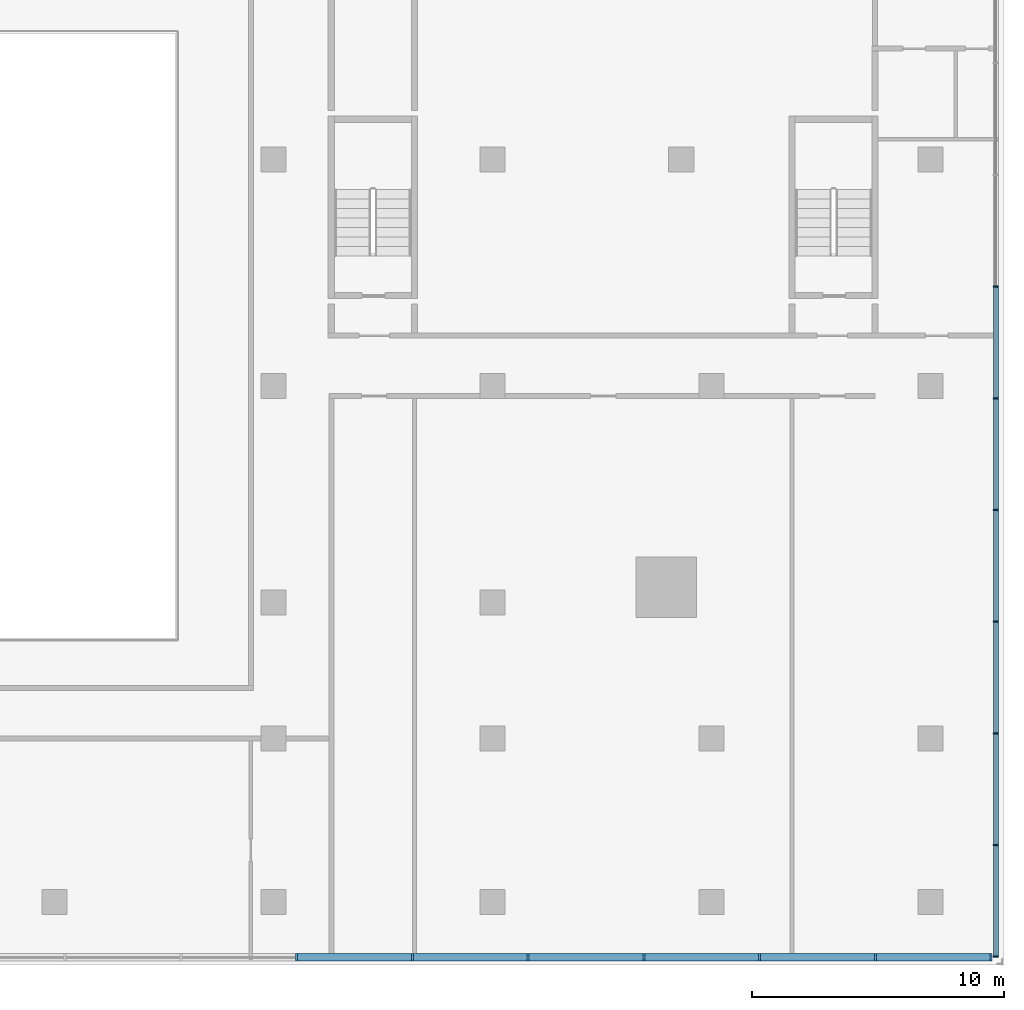
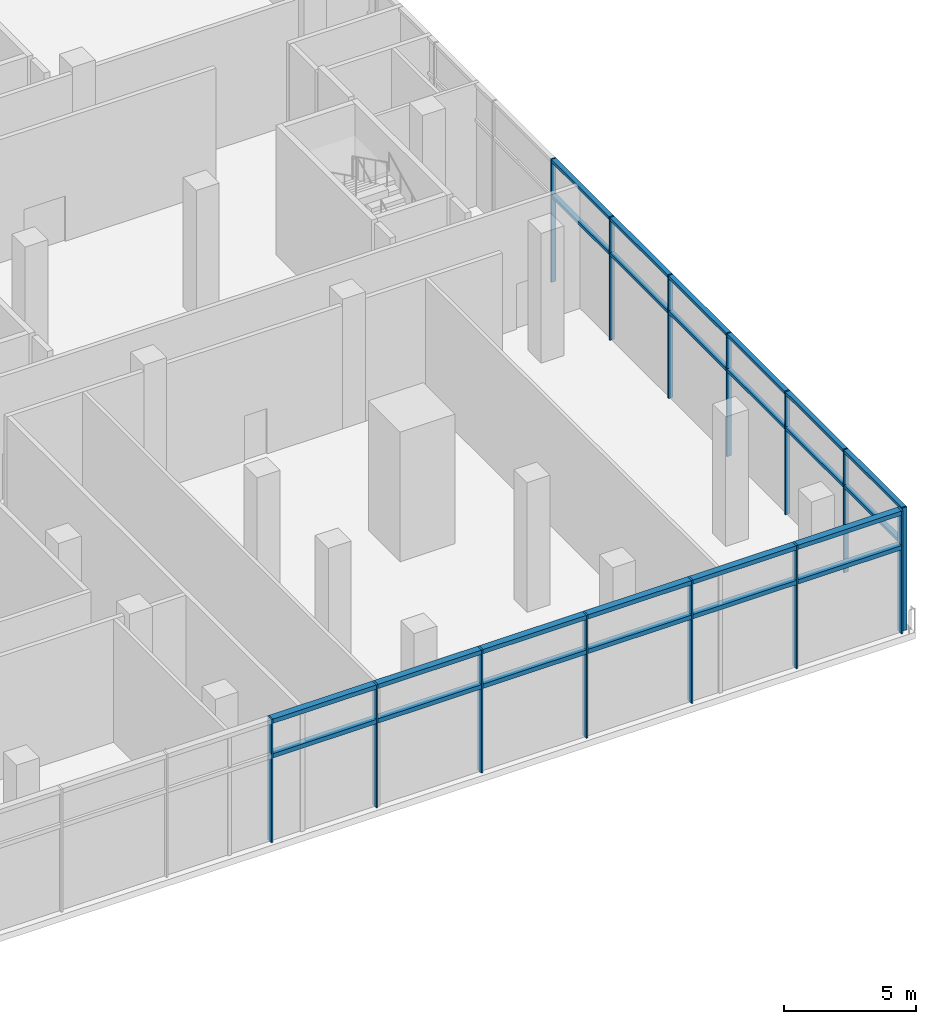
# One storey, part 7 of 22: 38 members, 2 elements without a shape of their own.
"""IFC4 building model written with IfcOpenShell, lengths in metres."""

from ifc_helpers import new_model, si_unit, direction, frame, origin, origin_2d, place, context, subcontext, project, spatial, rectangle, extrude, material, material_profile, profile_set, type_object, element, aggregate, save


model = new_model("IFC4")

# Units and contexts
model_context = context("Model", 3, precision=1e-05, world=origin(), true_north=direction((0.0, 1.0)))
body_context = subcontext(model_context, "Body", "Model", "MODEL_VIEW")
ifc_project = project(units=[si_unit("LENGTHUNIT", "METRE"), si_unit("AREAUNIT", "SQUARE_METRE"), si_unit("VOLUMEUNIT", "CUBIC_METRE"), si_unit("PLANEANGLEUNIT", "RADIAN"), si_unit("MASSUNIT", "GRAM", prefix="KILO")], contexts=[model_context])

# Site, building, storey
site_placement = place(None, origin())
site = spatial("IfcSite", under=ifc_project, at=site_placement, CompositionType="ELEMENT")
building_placement = place(site_placement, origin())
building = spatial("IfcBuilding", under=site, at=building_placement, Name="Bicima Exchange Tower", CompositionType="ELEMENT")
storey_placement = place(building_placement, frame((0.0, 0.0, 14.0)))
storey = spatial("IfcBuildingStorey", under=building, at=storey_placement, Name="L02", CompositionType="ELEMENT", Elevation=14.0)

# Curtain wall, members
ifc_material_1 = material(Name="Stainless steel", Category="steel")
curtain_wall_type_1 = type_object("IfcCurtainWallType", Name="Hall structural glazing", PredefinedType="NOTDEFINED", material=ifc_material_1)
curtain_wall_1_placement = place(storey_placement, origin())
curtain_wall_1 = element("IfcCurtainWall", 1, at=curtain_wall_1_placement, inside=storey, type_object=curtain_wall_type_1, Name="Podium glazing L02 south 1", PredefinedType="NOTDEFINED")
ifc_material_profile_1 = material_profile(ifc_material_1, rectangle(XDim=0.300048828125, YDim=0.080078125, at=origin_2d()))
ifc_profile_set_1 = profile_set([ifc_material_profile_1], Name="Stainless steel")
member_type_1 = type_object("IfcMemberType", Name="Hall structural glazing mullion 80 x 300", PredefinedType="MULLION", material=ifc_profile_set_1)
member_1_placement = place(storey_placement, frame((18.319091796875, -53.699951171875, 0.0), z_axis=(0.0, 0.0, 1.0), x_axis=(0.0, 1.0, 0.0)))
member_1 = element("IfcMember", 2, at=member_1_placement, type_object=member_type_1, Name="Hall structural glazing mullion 15", PredefinedType="MULLION", context=body_context, shape_type="SweptSolid", body=[
    extrude(rectangle(XDim=0.300048828125, YDim=0.080078125, at=origin_2d()), origin(), (0.0, 0.0, 1.0), 5.699951171875),
])
member_2_placement = place(storey_placement, frame((22.91748046875, -53.699951171875, 0.0), z_axis=(0.0, 0.0, 1.0), x_axis=(0.0, 1.0, 0.0)))
member_2 = element("IfcMember", 3, at=member_2_placement, type_object=member_type_1, Name="Hall structural glazing mullion 16", PredefinedType="MULLION", context=body_context, shape_type="SweptSolid", body=[
    extrude(rectangle(XDim=0.300048828125, YDim=0.080078125, at=origin_2d()), origin(), (0.0, 0.0, 1.0), 5.699951171875),
])
member_3_placement = place(storey_placement, frame((27.51611328125, -53.699951171875, 0.0), z_axis=(0.0, 0.0, 1.0), x_axis=(0.0, 1.0, 0.0)))
member_3 = element("IfcMember", 4, at=member_3_placement, type_object=member_type_1, Name="Hall structural glazing mullion 17", PredefinedType="MULLION", context=body_context, shape_type="SweptSolid", body=[
    extrude(rectangle(XDim=0.300048828125, YDim=0.080078125, at=origin_2d()), origin(), (0.0, 0.0, 1.0), 5.699951171875),
])
member_4_placement = place(storey_placement, frame((32.114501953125, -53.699951171875, 0.0), z_axis=(0.0, 0.0, 1.0), x_axis=(0.0, 1.0, 0.0)))
member_4 = element("IfcMember", 5, at=member_4_placement, type_object=member_type_1, Name="Hall structural glazing mullion 18", PredefinedType="MULLION", context=body_context, shape_type="SweptSolid", body=[
    extrude(rectangle(XDim=0.300048828125, YDim=0.080078125, at=origin_2d()), origin(), (0.0, 0.0, 1.0), 5.699951171875),
])
member_5_placement = place(storey_placement, frame((36.712890625, -53.699951171875, 0.0), z_axis=(0.0, 0.0, 1.0), x_axis=(0.0, 1.0, 0.0)))
member_5 = element("IfcMember", 6, at=member_5_placement, type_object=member_type_1, Name="Hall structural glazing mullion 19", PredefinedType="MULLION", context=body_context, shape_type="SweptSolid", body=[
    extrude(rectangle(XDim=0.300048828125, YDim=0.080078125, at=origin_2d()), origin(), (0.0, 0.0, 1.0), 5.699951171875),
])
member_6_placement = place(storey_placement, frame((41.3115234375, -53.699951171875, 0.0), z_axis=(0.0, 0.0, 1.0), x_axis=(0.0, 1.0, 0.0)))
member_6 = element("IfcMember", 7, at=member_6_placement, type_object=member_type_1, Name="Hall structural glazing mullion 20", PredefinedType="MULLION", context=body_context, shape_type="SweptSolid", body=[
    extrude(rectangle(XDim=0.300048828125, YDim=0.080078125, at=origin_2d()), origin(), (0.0, 0.0, 1.0), 5.699951171875),
])
member_7_placement = place(storey_placement, frame((45.909912109375, -53.699951171875, 0.0), z_axis=(0.0, 0.0, 1.0), x_axis=(0.0, 1.0, 0.0)))
member_7 = element("IfcMember", 8, at=member_7_placement, type_object=member_type_1, Name="Hall structural glazing mullion 21", PredefinedType="MULLION", context=body_context, shape_type="SweptSolid", body=[
    extrude(rectangle(XDim=0.300048828125, YDim=0.080078125, at=origin_2d()), origin(), (0.0, 0.0, 1.0), 5.699951171875),
])
ifc_material_profile_2 = material_profile(ifc_material_1, rectangle(XDim=0.300048828125, YDim=0.199951171875, at=origin_2d()))
ifc_profile_set_2 = profile_set([ifc_material_profile_2], Name="Stainless steel")
member_type_2 = type_object("IfcMemberType", Name="Hall structural glazing transom 200 x 300", PredefinedType="USERDEFINED", material=ifc_profile_set_2)
member_8_placement = place(storey_placement, frame((18.35888671875, -53.699951171875, 4.0), z_axis=(1.0, 0.0, 0.0), x_axis=(0.0, 1.0, 0.0)))
member_8 = element("IfcMember", 9, at=member_8_placement, type_object=member_type_2, Name="Hall structural glazing transom 15.1", ObjectType="TRANSOM", PredefinedType="USERDEFINED", context=body_context, shape_type="SweptSolid", body=[
    extrude(rectangle(XDim=0.300048828125, YDim=0.199951171875, at=origin_2d()), origin(), (0.0, 0.0, 1.0), 4.5185546875),
])
member_9_placement = place(storey_placement, frame((18.35888671875, -53.699951171875, 5.60009765625), z_axis=(1.0, 0.0, 0.0), x_axis=(0.0, 1.0, 0.0)))
member_9 = element("IfcMember", 10, at=member_9_placement, type_object=member_type_2, Name="Hall structural glazing transom 15.2", ObjectType="TRANSOM", PredefinedType="USERDEFINED", context=body_context, shape_type="SweptSolid", body=[
    extrude(rectangle(XDim=0.300048828125, YDim=0.199951171875, at=origin_2d()), origin(), (0.0, 0.0, 1.0), 4.5185546875),
])
member_10_placement = place(storey_placement, frame((22.95751953125, -53.699951171875, 4.0), z_axis=(1.0, 0.0, 0.0), x_axis=(0.0, 1.0, 0.0)))
member_10 = element("IfcMember", 11, at=member_10_placement, type_object=member_type_2, Name="Hall structural glazing transom 16.1", ObjectType="TRANSOM", PredefinedType="USERDEFINED", context=body_context, shape_type="SweptSolid", body=[
    extrude(rectangle(XDim=0.300048828125, YDim=0.199951171875, at=origin_2d()), origin(), (0.0, 0.0, 1.0), 4.5185546875),
])
member_11_placement = place(storey_placement, frame((22.95751953125, -53.699951171875, 5.60009765625), z_axis=(1.0, 0.0, 0.0), x_axis=(0.0, 1.0, 0.0)))
member_11 = element("IfcMember", 12, at=member_11_placement, type_object=member_type_2, Name="Hall structural glazing transom 16.2", ObjectType="TRANSOM", PredefinedType="USERDEFINED", context=body_context, shape_type="SweptSolid", body=[
    extrude(rectangle(XDim=0.300048828125, YDim=0.199951171875, at=origin_2d()), origin(), (0.0, 0.0, 1.0), 4.5185546875),
])
member_12_placement = place(storey_placement, frame((27.555908203125, -53.699951171875, 4.0), z_axis=(1.0, 0.0, 0.0), x_axis=(0.0, 1.0, 0.0)))
member_12 = element("IfcMember", 13, at=member_12_placement, type_object=member_type_2, Name="Hall structural glazing transom 17.1", ObjectType="TRANSOM", PredefinedType="USERDEFINED", context=body_context, shape_type="SweptSolid", body=[
    extrude(rectangle(XDim=0.300048828125, YDim=0.199951171875, at=origin_2d()), origin(), (0.0, 0.0, 1.0), 4.5185546875),
])
member_13_placement = place(storey_placement, frame((27.555908203125, -53.699951171875, 5.60009765625), z_axis=(1.0, 0.0, 0.0), x_axis=(0.0, 1.0, 0.0)))
member_13 = element("IfcMember", 14, at=member_13_placement, type_object=member_type_2, Name="Hall structural glazing transom 17.2", ObjectType="TRANSOM", PredefinedType="USERDEFINED", context=body_context, shape_type="SweptSolid", body=[
    extrude(rectangle(XDim=0.300048828125, YDim=0.199951171875, at=origin_2d()), origin(), (0.0, 0.0, 1.0), 4.5185546875),
])
member_14_placement = place(storey_placement, frame((32.154541015625, -53.699951171875, 4.0), z_axis=(1.0, 0.0, 0.0), x_axis=(0.0, 1.0, 0.0)))
member_14 = element("IfcMember", 15, at=member_14_placement, type_object=member_type_2, Name="Hall structural glazing transom 18.1", ObjectType="TRANSOM", PredefinedType="USERDEFINED", context=body_context, shape_type="SweptSolid", body=[
    extrude(rectangle(XDim=0.300048828125, YDim=0.199951171875, at=origin_2d()), origin(), (0.0, 0.0, 1.0), 4.5185546875),
])
member_15_placement = place(storey_placement, frame((32.154541015625, -53.699951171875, 5.60009765625), z_axis=(1.0, 0.0, 0.0), x_axis=(0.0, 1.0, 0.0)))
member_15 = element("IfcMember", 16, at=member_15_placement, type_object=member_type_2, Name="Hall structural glazing transom 18.2", ObjectType="TRANSOM", PredefinedType="USERDEFINED", context=body_context, shape_type="SweptSolid", body=[
    extrude(rectangle(XDim=0.300048828125, YDim=0.199951171875, at=origin_2d()), origin(), (0.0, 0.0, 1.0), 4.5185546875),
])
member_16_placement = place(storey_placement, frame((36.7529296875, -53.699951171875, 4.0), z_axis=(1.0, 0.0, 0.0), x_axis=(0.0, 1.0, 0.0)))
member_16 = element("IfcMember", 17, at=member_16_placement, type_object=member_type_2, Name="Hall structural glazing transom 19.1", ObjectType="TRANSOM", PredefinedType="USERDEFINED", context=body_context, shape_type="SweptSolid", body=[
    extrude(rectangle(XDim=0.300048828125, YDim=0.199951171875, at=origin_2d()), origin(), (0.0, 0.0, 1.0), 4.5185546875),
])
member_17_placement = place(storey_placement, frame((36.7529296875, -53.699951171875, 5.60009765625), z_axis=(1.0, 0.0, 0.0), x_axis=(0.0, 1.0, 0.0)))
member_17 = element("IfcMember", 18, at=member_17_placement, type_object=member_type_2, Name="Hall structural glazing transom 19.2", ObjectType="TRANSOM", PredefinedType="USERDEFINED", context=body_context, shape_type="SweptSolid", body=[
    extrude(rectangle(XDim=0.300048828125, YDim=0.199951171875, at=origin_2d()), origin(), (0.0, 0.0, 1.0), 4.5185546875),
])
member_18_placement = place(storey_placement, frame((41.3515625, -53.699951171875, 4.0), z_axis=(1.0, 0.0, 0.0), x_axis=(0.0, 1.0, 0.0)))
member_18 = element("IfcMember", 19, at=member_18_placement, type_object=member_type_2, Name="Hall structural glazing transom 20.1", ObjectType="TRANSOM", PredefinedType="USERDEFINED", context=body_context, shape_type="SweptSolid", body=[
    extrude(rectangle(XDim=0.300048828125, YDim=0.199951171875, at=origin_2d()), origin(), (0.0, 0.0, 1.0), 4.5185546875),
])
member_19_placement = place(storey_placement, frame((41.3515625, -53.699951171875, 5.60009765625), z_axis=(1.0, 0.0, 0.0), x_axis=(0.0, 1.0, 0.0)))
member_19 = element("IfcMember", 20, at=member_19_placement, type_object=member_type_2, Name="Hall structural glazing transom 20.2", ObjectType="TRANSOM", PredefinedType="USERDEFINED", context=body_context, shape_type="SweptSolid", body=[
    extrude(rectangle(XDim=0.300048828125, YDim=0.199951171875, at=origin_2d()), origin(), (0.0, 0.0, 1.0), 4.5185546875),
])
aggregate(curtain_wall_1, [member_1, member_2, member_3, member_4, member_5, member_6, member_7, member_8, member_9, member_10, member_11, member_12, member_13, member_14, member_15, member_16, member_17, member_18, member_19])

ifc_material_2 = material(Name="Anodised bronze aluminium", Category="aluminium")
curtain_wall_type_2 = type_object("IfcCurtainWallType", Name="Lobby glazing", PredefinedType="NOTDEFINED", material=ifc_material_2)
curtain_wall_2_placement = place(storey_placement, origin())
curtain_wall_2 = element("IfcCurtainWall", 21, at=curtain_wall_2_placement, inside=storey, type_object=curtain_wall_type_2, Name="Podium glazing L02 east 1", PredefinedType="NOTDEFINED")
ifc_material_profile_3 = material_profile(ifc_material_2, rectangle(XDim=0.199951171875, YDim=0.06005859375, at=origin_2d()))
ifc_profile_set_3 = profile_set([ifc_material_profile_3], Name="Anodised bronze aluminium")
member_type_3 = type_object("IfcMemberType", Name="Lobby glazing mullion 60 x 200", PredefinedType="MULLION", material=ifc_profile_set_3)
member_20_placement = place(storey_placement, frame((46.10009765625, -53.669921875, 0.0), z_axis=(0.0, 0.0, 1.0), x_axis=(-1.0, 0.0, 0.0)))
member_20 = element("IfcMember", 22, at=member_20_placement, type_object=member_type_3, Name="Lobby glazing mullion 1", PredefinedType="MULLION", context=body_context, shape_type="SweptSolid", body=[
    extrude(rectangle(XDim=0.199951171875, YDim=0.06005859375, at=origin_2d()), origin(), (0.0, 0.0, 1.0), 5.699951171875),
])
member_21_placement = place(storey_placement, frame((46.10009765625, -49.2333984375, 0.0), z_axis=(0.0, 0.0, 1.0), x_axis=(-1.0, 0.0, 0.0)))
member_21 = element("IfcMember", 23, at=member_21_placement, type_object=member_type_3, Name="Lobby glazing mullion 2", PredefinedType="MULLION", context=body_context, shape_type="SweptSolid", body=[
    extrude(rectangle(XDim=0.199951171875, YDim=0.06005859375, at=origin_2d()), origin(), (0.0, 0.0, 1.0), 5.699951171875),
])
member_22_placement = place(storey_placement, frame((46.10009765625, -44.796630859375, 0.0), z_axis=(0.0, 0.0, 1.0), x_axis=(-1.0, 0.0, 0.0)))
member_22 = element("IfcMember", 24, at=member_22_placement, type_object=member_type_3, Name="Lobby glazing mullion 3", PredefinedType="MULLION", context=body_context, shape_type="SweptSolid", body=[
    extrude(rectangle(XDim=0.199951171875, YDim=0.06005859375, at=origin_2d()), origin(), (0.0, 0.0, 1.0), 5.699951171875),
])
member_23_placement = place(storey_placement, frame((46.10009765625, -40.360107421875, 0.0), z_axis=(0.0, 0.0, 1.0), x_axis=(-1.0, 0.0, 0.0)))
member_23 = element("IfcMember", 25, at=member_23_placement, type_object=member_type_3, Name="Lobby glazing mullion 4", PredefinedType="MULLION", context=body_context, shape_type="SweptSolid", body=[
    extrude(rectangle(XDim=0.199951171875, YDim=0.06005859375, at=origin_2d()), origin(), (0.0, 0.0, 1.0), 5.699951171875),
])
member_24_placement = place(storey_placement, frame((46.10009765625, -35.92333984375, 0.0), z_axis=(0.0, 0.0, 1.0), x_axis=(-1.0, 0.0, 0.0)))
member_24 = element("IfcMember", 26, at=member_24_placement, type_object=member_type_3, Name="Lobby glazing mullion 5", PredefinedType="MULLION", context=body_context, shape_type="SweptSolid", body=[
    extrude(rectangle(XDim=0.199951171875, YDim=0.06005859375, at=origin_2d()), origin(), (0.0, 0.0, 1.0), 5.699951171875),
])
member_25_placement = place(storey_placement, frame((46.10009765625, -31.48681640625, 0.0), z_axis=(0.0, 0.0, 1.0), x_axis=(-1.0, 0.0, 0.0)))
member_25 = element("IfcMember", 27, at=member_25_placement, type_object=member_type_3, Name="Lobby glazing mullion 6", PredefinedType="MULLION", context=body_context, shape_type="SweptSolid", body=[
    extrude(rectangle(XDim=0.199951171875, YDim=0.06005859375, at=origin_2d()), origin(), (0.0, 0.0, 1.0), 5.699951171875),
])
member_26_placement = place(storey_placement, frame((46.10009765625, -27.050048828125, 0.0), z_axis=(0.0, 0.0, 1.0), x_axis=(-1.0, 0.0, 0.0)))
member_26 = element("IfcMember", 28, at=member_26_placement, type_object=member_type_3, Name="Lobby glazing mullion 7", PredefinedType="MULLION", context=body_context, shape_type="SweptSolid", body=[
    extrude(rectangle(XDim=0.199951171875, YDim=0.06005859375, at=origin_2d()), origin(), (0.0, 0.0, 1.0), 5.699951171875),
])
ifc_material_profile_4 = material_profile(ifc_material_2, rectangle(XDim=0.199951171875, YDim=0.139892578125, at=origin_2d()))
ifc_profile_set_4 = profile_set([ifc_material_profile_4], Name="Anodised bronze aluminium")
member_type_4 = type_object("IfcMemberType", Name="Lobby glazing transom 140 x 200", PredefinedType="USERDEFINED", material=ifc_profile_set_4)
member_27_placement = place(storey_placement, frame((46.10009765625, -53.639892578125, 4.0), z_axis=(0.0, 1.0, 0.0), x_axis=(-1.0, 0.0, 0.0)))
member_27 = element("IfcMember", 29, at=member_27_placement, type_object=member_type_4, Name="Lobby glazing transom 1.1", ObjectType="TRANSOM", PredefinedType="USERDEFINED", context=body_context, shape_type="SweptSolid", body=[
    extrude(rectangle(XDim=0.199951171875, YDim=0.139892578125, at=origin_2d()), origin(), (0.0, 0.0, 1.0), 4.376708984375),
])
member_28_placement = place(storey_placement, frame((46.10009765625, -53.639892578125, 5.6298828125), z_axis=(0.0, 1.0, 0.0), x_axis=(-1.0, 0.0, 0.0)))
member_28 = element("IfcMember", 30, at=member_28_placement, type_object=member_type_4, Name="Lobby glazing transom 1.2", ObjectType="TRANSOM", PredefinedType="USERDEFINED", context=body_context, shape_type="SweptSolid", body=[
    extrude(rectangle(XDim=0.199951171875, YDim=0.139892578125, at=origin_2d()), origin(), (0.0, 0.0, 1.0), 4.376708984375),
])
member_29_placement = place(storey_placement, frame((46.10009765625, -49.203369140625, 4.0), z_axis=(0.0, 1.0, 0.0), x_axis=(-1.0, 0.0, 0.0)))
member_29 = element("IfcMember", 31, at=member_29_placement, type_object=member_type_4, Name="Lobby glazing transom 2.1", ObjectType="TRANSOM", PredefinedType="USERDEFINED", context=body_context, shape_type="SweptSolid", body=[
    extrude(rectangle(XDim=0.199951171875, YDim=0.139892578125, at=origin_2d()), origin(), (0.0, 0.0, 1.0), 4.376708984375),
])
member_30_placement = place(storey_placement, frame((46.10009765625, -49.203369140625, 5.6298828125), z_axis=(0.0, 1.0, 0.0), x_axis=(-1.0, 0.0, 0.0)))
member_30 = element("IfcMember", 32, at=member_30_placement, type_object=member_type_4, Name="Lobby glazing transom 2.2", ObjectType="TRANSOM", PredefinedType="USERDEFINED", context=body_context, shape_type="SweptSolid", body=[
    extrude(rectangle(XDim=0.199951171875, YDim=0.139892578125, at=origin_2d()), origin(), (0.0, 0.0, 1.0), 4.376708984375),
])
member_31_placement = place(storey_placement, frame((46.10009765625, -44.7666015625, 4.0), z_axis=(0.0, 1.0, 0.0), x_axis=(-1.0, 0.0, 0.0)))
member_31 = element("IfcMember", 33, at=member_31_placement, type_object=member_type_4, Name="Lobby glazing transom 3.1", ObjectType="TRANSOM", PredefinedType="USERDEFINED", context=body_context, shape_type="SweptSolid", body=[
    extrude(rectangle(XDim=0.199951171875, YDim=0.139892578125, at=origin_2d()), origin(), (0.0, 0.0, 1.0), 4.376708984375),
])
member_32_placement = place(storey_placement, frame((46.10009765625, -44.7666015625, 5.6298828125), z_axis=(0.0, 1.0, 0.0), x_axis=(-1.0, 0.0, 0.0)))
member_32 = element("IfcMember", 34, at=member_32_placement, type_object=member_type_4, Name="Lobby glazing transom 3.2", ObjectType="TRANSOM", PredefinedType="USERDEFINED", context=body_context, shape_type="SweptSolid", body=[
    extrude(rectangle(XDim=0.199951171875, YDim=0.139892578125, at=origin_2d()), origin(), (0.0, 0.0, 1.0), 4.376708984375),
])
member_33_placement = place(storey_placement, frame((46.10009765625, -40.330078125, 4.0), z_axis=(0.0, 1.0, 0.0), x_axis=(-1.0, 0.0, 0.0)))
member_33 = element("IfcMember", 35, at=member_33_placement, type_object=member_type_4, Name="Lobby glazing transom 4.1", ObjectType="TRANSOM", PredefinedType="USERDEFINED", context=body_context, shape_type="SweptSolid", body=[
    extrude(rectangle(XDim=0.199951171875, YDim=0.139892578125, at=origin_2d()), origin(), (0.0, 0.0, 1.0), 4.376708984375),
])
member_34_placement = place(storey_placement, frame((46.10009765625, -40.330078125, 5.6298828125), z_axis=(0.0, 1.0, 0.0), x_axis=(-1.0, 0.0, 0.0)))
member_34 = element("IfcMember", 36, at=member_34_placement, type_object=member_type_4, Name="Lobby glazing transom 4.2", ObjectType="TRANSOM", PredefinedType="USERDEFINED", context=body_context, shape_type="SweptSolid", body=[
    extrude(rectangle(XDim=0.199951171875, YDim=0.139892578125, at=origin_2d()), origin(), (0.0, 0.0, 1.0), 4.376708984375),
])
member_35_placement = place(storey_placement, frame((46.10009765625, -35.893310546875, 4.0), z_axis=(0.0, 1.0, 0.0), x_axis=(-1.0, 0.0, 0.0)))
member_35 = element("IfcMember", 37, at=member_35_placement, type_object=member_type_4, Name="Lobby glazing transom 5.1", ObjectType="TRANSOM", PredefinedType="USERDEFINED", context=body_context, shape_type="SweptSolid", body=[
    extrude(rectangle(XDim=0.199951171875, YDim=0.139892578125, at=origin_2d()), origin(), (0.0, 0.0, 1.0), 4.376708984375),
])
member_36_placement = place(storey_placement, frame((46.10009765625, -35.893310546875, 5.6298828125), z_axis=(0.0, 1.0, 0.0), x_axis=(-1.0, 0.0, 0.0)))
member_36 = element("IfcMember", 38, at=member_36_placement, type_object=member_type_4, Name="Lobby glazing transom 5.2", ObjectType="TRANSOM", PredefinedType="USERDEFINED", context=body_context, shape_type="SweptSolid", body=[
    extrude(rectangle(XDim=0.199951171875, YDim=0.139892578125, at=origin_2d()), origin(), (0.0, 0.0, 1.0), 4.376708984375),
])
member_37_placement = place(storey_placement, frame((46.10009765625, -31.456787109375, 4.0), z_axis=(0.0, 1.0, 0.0), x_axis=(-1.0, 0.0, 0.0)))
member_37 = element("IfcMember", 39, at=member_37_placement, type_object=member_type_4, Name="Lobby glazing transom 6.1", ObjectType="TRANSOM", PredefinedType="USERDEFINED", context=body_context, shape_type="SweptSolid", body=[
    extrude(rectangle(XDim=0.199951171875, YDim=0.139892578125, at=origin_2d()), origin(), (0.0, 0.0, 1.0), 4.376708984375),
])
member_38_placement = place(storey_placement, frame((46.10009765625, -31.456787109375, 5.6298828125), z_axis=(0.0, 1.0, 0.0), x_axis=(-1.0, 0.0, 0.0)))
member_38 = element("IfcMember", 40, at=member_38_placement, type_object=member_type_4, Name="Lobby glazing transom 6.2", ObjectType="TRANSOM", PredefinedType="USERDEFINED", context=body_context, shape_type="SweptSolid", body=[
    extrude(rectangle(XDim=0.199951171875, YDim=0.139892578125, at=origin_2d()), origin(), (0.0, 0.0, 1.0), 4.376708984375),
])
aggregate(curtain_wall_2, [member_20, member_21, member_22, member_23, member_24, member_25, member_26, member_27, member_28, member_29, member_30, member_31, member_32, member_33, member_34, member_35, member_36, member_37, member_38])

save(model, "model.ifc")
